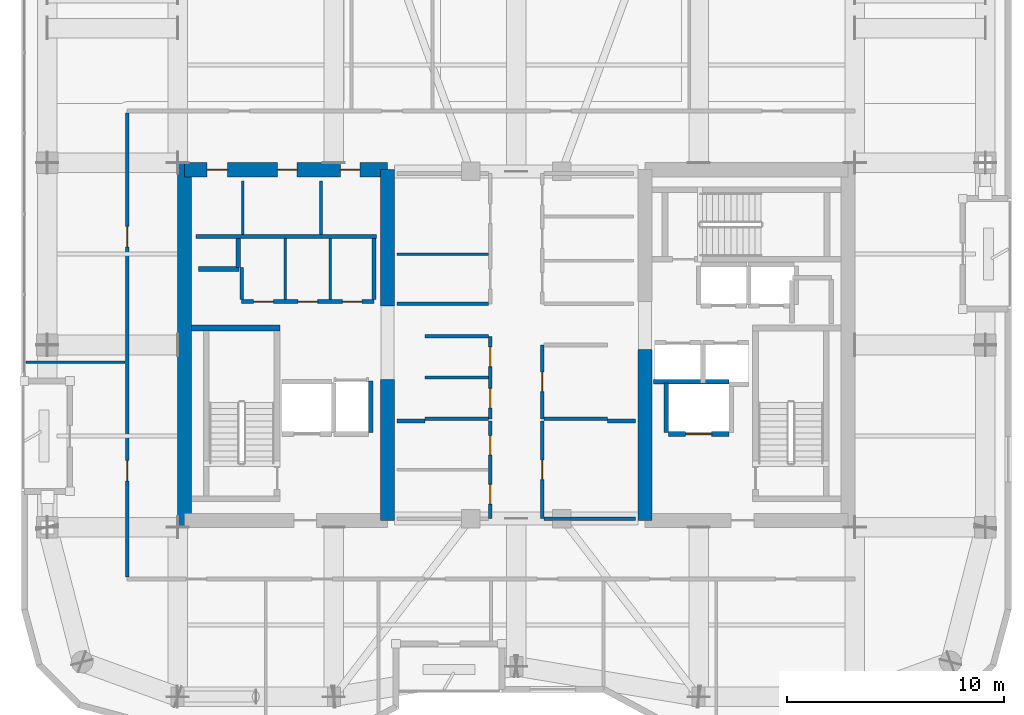
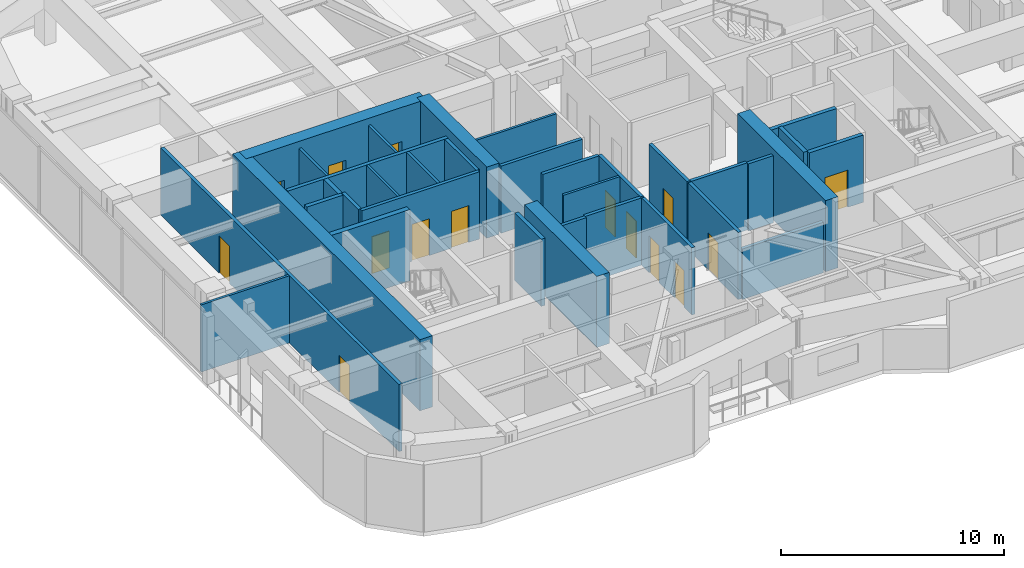
# One storey, part 16 of 21: 35 walls, 15 doors, 15 openings.
"""IFC4 building model written with IfcOpenShell, lengths in metres."""

from ifc_helpers import new_model, si_unit, direction, frame, frame_2d, origin, place, context, subcontext, project, spatial, rectangle, extrude, material, layer, layer_set, type_object, element, fill, save


model = new_model("IFC4")

# Units and contexts
model_context = context("Model", 3, precision=1e-05, world=origin(), true_north=direction((0.0, 1.0)))
body_context = subcontext(model_context, "Body", "Model", "MODEL_VIEW")
ifc_project = project(units=[si_unit("LENGTHUNIT", "METRE"), si_unit("AREAUNIT", "SQUARE_METRE"), si_unit("VOLUMEUNIT", "CUBIC_METRE"), si_unit("PLANEANGLEUNIT", "RADIAN"), si_unit("MASSUNIT", "GRAM", prefix="KILO")], contexts=[model_context])

# Site, building, storey
site_placement = place(None, origin())
site = spatial("IfcSite", under=ifc_project, at=site_placement, CompositionType="ELEMENT")
building_placement = place(site_placement, origin())
building = spatial("IfcBuilding", under=site, at=building_placement, Name="Kiyonajd Concourse Tower", CompositionType="ELEMENT")
storey_placement = place(building_placement, frame((0.0, 0.0, 251.10009765625)))
storey = spatial("IfcBuildingStorey", under=building, at=storey_placement, Name="L63", CompositionType="ELEMENT", Elevation=251.10009765625)

# Walls
ifc_material_1 = material(Name="Concrete C60/75", Category="concrete")
ifc_layer_1 = layer(ifc_material_1, 0.64990234375)
ifc_layer_set_1 = layer_set([ifc_layer_1], Name="Concrete C60/75")
wall_type_1 = type_object("IfcWallType", Name="WL-CORE-650", PredefinedType="SHEAR", material=ifc_layer_set_1)
wall_1_placement = place(storey_placement, frame((32.72509765625, 27.60009765625, 0.0), z_axis=(0.0, 0.0, 1.0), x_axis=(0.0, 1.0, 0.0)))
element("IfcWall", 1, at=wall_1_placement, inside=storey, type_object=wall_type_1, Name="L63 West Core Outer Shear Wall", PredefinedType="SHEAR", context=body_context, shape_type="SweptSolid", body=[
    extrude(rectangle(XDim=16.7998046875, YDim=0.64990234375, at=frame_2d((8.39990234375, 0.0))), origin(), (0.0, 0.0, 1.0), 3.89990234375),
])
wall_2_placement = place(storey_placement, frame((42.074951171875, 27.925048828125, 0.0), z_axis=(0.0, 0.0, 1.0), x_axis=(0.0, 1.0, 0.0)))
element("IfcWall", 2, at=wall_2_placement, inside=storey, type_object=wall_type_1, Name="L63 West Core Inner South Shear Wall", PredefinedType="SHEAR", context=body_context, shape_type="SweptSolid", body=[
    extrude(rectangle(XDim=6.474853515625, YDim=0.64990234375, at=frame_2d((3.2373046875, 0.0))), origin(), (0.0, 0.0, 1.0), 3.89990234375),
])
wall_3_placement = place(storey_placement, frame((42.074951171875, 37.800048828125, 0.0), z_axis=(0.0, 0.0, 1.0), x_axis=(0.0, 1.0, 0.0)))
element("IfcWall", 3, at=wall_3_placement, inside=storey, type_object=wall_type_1, Name="L63 West Core Inner North Shear Wall", PredefinedType="SHEAR", context=body_context, shape_type="SweptSolid", body=[
    extrude(rectangle(XDim=6.27490234375, YDim=0.64990234375, at=frame_2d((3.137451171875, 0.0))), origin(), (0.0, 0.0, 1.0), 3.89990234375),
])

# Wall, openings, doors
wall_4_placement = place(storey_placement, frame((32.72509765625, 44.074951171875, 0.0), z_axis=(0.0, 0.0, 1.0), x_axis=(1.0, 0.0, 0.0)))
wall_4 = element("IfcWall", 4, at=wall_4_placement, inside=storey, type_object=wall_type_1, Name="L63 West Core North Shear Wall", PredefinedType="SHEAR", context=body_context, shape_type="SweptSolid", body=[
    extrude(rectangle(XDim=9.349853515625, YDim=0.64990234375, at=frame_2d((4.6748046875, 0.0))), origin(), (0.0, 0.0, 1.0), 3.89990234375),
])
opening_1_placement = place(wall_4_placement, frame((1.02490234375, 0.0, 0.0)))
opening_1 = element("IfcOpeningElement", 5, at=opening_1_placement, cuts=wall_4, Name="Opening DI1", PredefinedType="OPENING", context=body_context, shape_type="SweptSolid", body=[
    extrude(rectangle(XDim=0.949951171875, YDim=2.0400390625, at=frame_2d((0.47509765625, 1.02001953125))), frame((0.0, 0.3349609375, 0.0), z_axis=(0.0, -1.0, 0.0), x_axis=(1.0, 0.0, 0.0)), (0.0, 0.0, 1.0), 0.669921875),
])
opening_2_placement = place(wall_4_placement, frame((4.27490234375, 0.0, 0.0)))
opening_2 = element("IfcOpeningElement", 6, at=opening_2_placement, cuts=wall_4, Name="Opening DI2", PredefinedType="OPENING", context=body_context, shape_type="SweptSolid", body=[
    extrude(rectangle(XDim=0.89990234375, YDim=2.02001953125, at=frame_2d((0.449951171875, 1.010009765625))), frame((0.0, 0.3349609375, 0.0), z_axis=(0.0, -1.0, 0.0), x_axis=(1.0, 0.0, 0.0)), (0.0, 0.0, 1.0), 0.669921875),
])
opening_3_placement = place(wall_4_placement, frame((7.175048828125, 0.0, 0.0)))
opening_3 = element("IfcOpeningElement", 7, at=opening_3_placement, cuts=wall_4, Name="Opening DI2", PredefinedType="OPENING", context=body_context, shape_type="SweptSolid", body=[
    extrude(rectangle(XDim=0.89990234375, YDim=2.02001953125, at=frame_2d((0.449951171875, 1.010009765625))), frame((0.0, 0.3349609375, 0.0), z_axis=(0.0, -1.0, 0.0), x_axis=(1.0, 0.0, 0.0)), (0.0, 0.0, 1.0), 0.669921875),
])
ifc_material_2 = material(Name="Natural Oak Acoustic Timber Veneer", Category="wood")
door_type_1 = type_object("IfcDoorType", Name="DR-INT-900", OperationType="NOTDEFINED", PredefinedType="DOOR", material=ifc_material_2)
door_1_placement = place(opening_2_placement, origin())
door_1 = element("IfcDoor", 8, at=door_1_placement, inside=storey, type_object=door_type_1, Name="L63 Male Restroom Door", OperationType="SINGLE_SWING_RIGHT", OverallHeight=2.02001953125, OverallWidth=0.89990234375, PredefinedType="DOOR", context=body_context, shape_type="SweptSolid", body=[
    extrude(rectangle(XDim=0.89990234375, YDim=2.02001953125, at=frame_2d((0.449951171875, 1.010009765625))), frame((0.0, 0.02490234375, 0.0), z_axis=(0.0, -1.0, 0.0), x_axis=(1.0, 0.0, 0.0)), (0.0, 0.0, 1.0), 0.050048828125),
])
fill(opening_2, door_1)
door_2_placement = place(opening_3_placement, origin())
door_2 = element("IfcDoor", 9, at=door_2_placement, inside=storey, type_object=door_type_1, Name="L63 Female Restroom Door", OperationType="SINGLE_SWING_LEFT", OverallHeight=2.02001953125, OverallWidth=0.89990234375, PredefinedType="DOOR", context=body_context, shape_type="SweptSolid", body=[
    extrude(rectangle(XDim=0.89990234375, YDim=2.02001953125, at=frame_2d((0.449951171875, 1.010009765625))), frame((0.0, 0.02490234375, 0.0), z_axis=(0.0, -1.0, 0.0), x_axis=(1.0, 0.0, 0.0)), (0.0, 0.0, 1.0), 0.050048828125),
])
fill(opening_3, door_2)
door_type_2 = type_object("IfcDoorType", Name="DR-INT-950", OperationType="NOTDEFINED", PredefinedType="DOOR", material=ifc_material_2)
door_3_placement = place(opening_1_placement, origin())
door_3 = element("IfcDoor", 10, at=door_3_placement, inside=storey, type_object=door_type_2, Name="L63 Single User Accessible WC Door", OperationType="SINGLE_SWING_LEFT", OverallHeight=2.0400390625, OverallWidth=0.949951171875, PredefinedType="DOOR", context=body_context, shape_type="SweptSolid", body=[
    extrude(rectangle(XDim=0.949951171875, YDim=2.0400390625, at=frame_2d((0.47509765625, 1.02001953125))), frame((0.0, 0.02490234375, 0.0), z_axis=(0.0, -1.0, 0.0), x_axis=(1.0, 0.0, 0.0)), (0.0, 0.0, 1.0), 0.050048828125),
])
fill(opening_1, door_3)

# Walls
wall_5_placement = place(storey_placement, frame((53.925048828125, 27.925048828125, 0.0), z_axis=(0.0, 0.0, 1.0), x_axis=(0.0, 1.0, 0.0)))
element("IfcWall", 11, at=wall_5_placement, inside=storey, type_object=wall_type_1, Name="L63 East Core Inner South Shear Wall", PredefinedType="SHEAR", context=body_context, shape_type="SweptSolid", body=[
    extrude(rectangle(XDim=7.875, YDim=0.64990234375, at=frame_2d((3.9375, 0.0))), origin(), (0.0, 0.0, 1.0), 3.89990234375),
])
ifc_material_3 = material(Name="Gypsum Board on Cold-Formed Steel Stud", Category="steel")
ifc_layer_2 = layer(ifc_material_3, 0.125)
ifc_layer_set_2 = layer_set([ifc_layer_2], Name="Gypsum Board on Cold-Formed Steel Stud")
wall_type_2 = type_object("IfcWallType", Name="WL-PART-125", PredefinedType="PARTITIONING", material=ifc_layer_set_2)
for number, where, z_axis, x_axis, name in (
    (12, (35.39990234375, 41.094970703125, 0.0), (0.0, 0.0, 1.0), (0.0, 1.0, 0.0), "L63 Interior Partition Wall"),
    (13, (39.0, 41.094970703125, 0.0), (0.0, 0.0, 1.0), (0.0, 1.0, 0.0), "L63 Interior Partition Wall"),
):
    element("IfcWall", number, at=place(storey_placement, frame(where, z_axis=z_axis, x_axis=x_axis)), inside=storey, type_object=wall_type_2, Name=name, PredefinedType="PARTITIONING", context=body_context, shape_type="SweptSolid", body=[
        extrude(rectangle(XDim=2.455078125, YDim=0.125, at=frame_2d((1.2275390625, 0.0))), origin(), (0.0, 0.0, 1.0), 3.679931640625),
    ])
for number, where, z_axis, x_axis, name in (
    (14, (37.363037109375, 38.0869140625, 0.0), (0.0, 0.0, 1.0), (0.0, 1.0, 0.0), "L63 Interior Partition Wall"),
    (15, (39.43701171875, 38.0869140625, 0.0), (0.0, 0.0, 1.0), (0.0, 1.0, 0.0), "L63 Interior Partition Wall"),
):
    element("IfcWall", number, at=place(storey_placement, frame(where, z_axis=z_axis, x_axis=x_axis)), inside=storey, type_object=wall_type_2, Name=name, PredefinedType="PARTITIONING", context=body_context, shape_type="SweptSolid", body=[
        extrude(rectangle(XDim=2.81298828125, YDim=0.125, at=frame_2d((1.406494140625, 0.0))), origin(), (0.0, 0.0, 1.0), 3.679931640625),
    ])
wall_6_placement = place(storey_placement, frame((43.800048828125, 34.5, 0.0), z_axis=(0.0, 0.0, 1.0), x_axis=(1.0, 0.0, 0.0)))
element("IfcWall", 16, at=wall_6_placement, inside=storey, type_object=wall_type_2, Name="L63 Interior Partition Wall", PredefinedType="PARTITIONING", context=body_context, shape_type="SweptSolid", body=[
    extrude(rectangle(XDim=2.912841796875, YDim=0.125, at=frame_2d((1.45654296875, 0.0))), origin(), (0.0, 0.0, 1.0), 3.679931640625),
])
wall_7_placement = place(storey_placement, frame((42.5, 40.179931640625, 0.0), z_axis=(0.0, 0.0, 1.0), x_axis=(1.0, 0.0, 0.0)))
element("IfcWall", 17, at=wall_7_placement, inside=storey, type_object=wall_type_2, Name="L63 Interior Partition Wall", PredefinedType="PARTITIONING", context=body_context, shape_type="SweptSolid", body=[
    extrude(rectangle(XDim=4.212890625, YDim=0.125, at=frame_2d((2.1064453125, 0.0))), origin(), (0.0, 0.0, 1.0), 3.679931640625),
])
wall_8_placement = place(storey_placement, frame((25.425048828125, 35.199951171875, 0.0), z_axis=(0.0, 0.0, 1.0), x_axis=(1.0, 0.0, 0.0)))
element("IfcWall", 18, at=wall_8_placement, inside=storey, type_object=wall_type_2, Name="L63 Interior Partition Wall", PredefinedType="PARTITIONING", context=body_context, shape_type="SweptSolid", body=[
    extrude(rectangle(XDim=4.56298828125, YDim=0.125, at=frame_2d((2.281494140625, 0.0))), origin(), (0.0, 0.0, 1.0), 3.679931640625),
])
ifc_layer_3 = layer(ifc_material_3, 0.18994140625)
ifc_layer_set_3 = layer_set([ifc_layer_3], Name="Gypsum Board on Cold-Formed Steel Stud")
wall_type_3 = type_object("IfcWallType", Name="WL-PLMB-190", PredefinedType="PLUMBINGWALL", material=ifc_layer_set_3)
wall_9_placement = place(storey_placement, frame((33.25, 41.0, 0.0), z_axis=(0.0, 0.0, 1.0), x_axis=(1.0, 0.0, 0.0)))
element("IfcWall", 19, at=wall_9_placement, inside=storey, type_object=wall_type_3, Name="L63 Interior Partition Wall", PredefinedType="PLUMBINGWALL", context=body_context, shape_type="SweptSolid", body=[
    extrude(rectangle(XDim=8.300048828125, YDim=0.18994140625, at=frame_2d((4.14990234375, 0.0))), origin(), (0.0, 0.0, 1.0), 3.679931640625),
])
ifc_layer_4 = layer(ifc_material_3, 0.2099609375)
ifc_layer_set_4 = layer_set([ifc_layer_4], Name="Gypsum Board on Cold-Formed Steel Stud")
wall_type_4 = type_object("IfcWallType", Name="WL-SHAFT-210", PredefinedType="PARTITIONING", material=ifc_layer_set_4)
wall_10_placement = place(storey_placement, frame((33.360107421875, 39.5, 0.0), z_axis=(0.0, 0.0, 1.0), x_axis=(1.0, 0.0, 0.0)))
element("IfcWall", 20, at=wall_10_placement, inside=storey, type_object=wall_type_4, Name="L63 Shaft Enclosure Wall", PredefinedType="PARTITIONING", context=body_context, shape_type="SweptSolid", body=[
    extrude(rectangle(XDim=1.85986328125, YDim=0.2099609375, at=frame_2d((0.929931640625, 0.0))), origin(), (0.0, 0.0, 1.0), 3.679931640625),
])
wall_11_placement = place(storey_placement, frame((35.199951171875, 39.580078125, 0.0), z_axis=(0.0, 0.0, 1.0), x_axis=(0.0, 1.0, 0.0)))
element("IfcWall", 21, at=wall_11_placement, inside=storey, type_object=wall_type_4, Name="L63 Shaft Enclosure Wall", PredefinedType="PARTITIONING", context=body_context, shape_type="SweptSolid", body=[
    extrude(rectangle(XDim=1.31982421875, YDim=0.2099609375, at=frame_2d((0.659912109375, 0.0))), origin(), (0.0, 0.0, 1.0), 3.679931640625),
])

# Wall, opening, door
wall_12_placement = place(storey_placement, frame((55.0, 31.89990234375, 0.0), z_axis=(0.0, 0.0, 1.0), x_axis=(1.0, 0.0, 0.0)))
wall_12 = element("IfcWall", 22, at=wall_12_placement, inside=storey, type_object=wall_type_4, Name="L63 Shaft Enclosure Wall", PredefinedType="PARTITIONING", context=body_context, shape_type="SweptSolid", body=[
    extrude(rectangle(XDim=2.800048828125, YDim=0.2099609375, at=frame_2d((1.39990234375, 0.0))), origin(), (0.0, 0.0, 1.0), 3.679931640625),
])
opening_4_placement = place(wall_12_placement, frame((0.800048828125, 0.0, 0.0)))
opening_4 = element("IfcOpeningElement", 23, at=opening_4_placement, cuts=wall_12, Name="Opening LD2", PredefinedType="OPENING", context=body_context, shape_type="SweptSolid", body=[
    extrude(rectangle(XDim=1.199951171875, YDim=2.0400390625, at=frame_2d((0.60009765625, 1.02001953125))), frame((0.0, 0.114990234375, 0.0), z_axis=(0.0, -1.0, 0.0), x_axis=(1.0, 0.0, 0.0)), (0.0, 0.0, 1.0), 0.22998046875),
])
ifc_material_4 = material(Name="Brushed Stainless Steel Cab Assembly", Category="steel")
door_type_3 = type_object("IfcDoorType", Name="DR-LD-1200", OperationType="DOUBLE_DOOR_SLIDING", PredefinedType="DOOR", material=ifc_material_4)
door_4_placement = place(opening_4_placement, origin())
door_4 = element("IfcDoor", 24, at=door_4_placement, inside=storey, type_object=door_type_3, Name="L63 Lift FFL2 Sliding Landing Door", OperationType="DOUBLE_DOOR_SLIDING", OverallHeight=2.0400390625, OverallWidth=1.199951171875, PredefinedType="DOOR", context=body_context, shape_type="SweptSolid", body=[
    extrude(rectangle(XDim=1.199951171875, YDim=2.0400390625, at=frame_2d((0.60009765625, 1.02001953125))), frame((0.0, 0.02490234375, 0.0), z_axis=(0.0, -1.0, 0.0), x_axis=(1.0, 0.0, 0.0)), (0.0, 0.0, 1.0), 0.050048828125),
])
fill(opening_4, door_4)

# Walls
wall_13_placement = place(storey_placement, frame((54.320068359375, 34.300048828125, 0.0), z_axis=(0.0, 0.0, 1.0), x_axis=(1.0, 0.0, 0.0)))
element("IfcWall", 25, at=wall_13_placement, inside=storey, type_object=wall_type_4, Name="L63 Shaft Enclosure Wall", PredefinedType="PARTITIONING", context=body_context, shape_type="SweptSolid", body=[
    extrude(rectangle(XDim=3.47998046875, YDim=0.2099609375, at=frame_2d((1.739990234375, 0.0))), origin(), (0.0, 0.0, 1.0), 3.679931640625),
])
wall_14_placement = place(storey_placement, frame((54.89990234375, 31.9599609375, 0.0), z_axis=(0.0, 0.0, 1.0), x_axis=(0.0, 1.0, 0.0)))
element("IfcWall", 26, at=wall_14_placement, inside=storey, type_object=wall_type_4, Name="L63 Shaft Enclosure Wall", PredefinedType="PARTITIONING", context=body_context, shape_type="SweptSolid", body=[
    extrude(rectangle(XDim=2.280029296875, YDim=0.2099609375, at=frame_2d((1.14013671875, 0.0))), origin(), (0.0, 0.0, 1.0), 3.679931640625),
])
wall_15_placement = place(storey_placement, frame((41.300048828125, 31.9599609375, 0.0), z_axis=(0.0, 0.0, 1.0), x_axis=(0.0, 1.0, 0.0)))
element("IfcWall", 27, at=wall_15_placement, inside=storey, type_object=wall_type_4, Name="L63 Shaft Enclosure Wall", PredefinedType="PARTITIONING", context=body_context, shape_type="SweptSolid", body=[
    extrude(rectangle(XDim=2.380126953125, YDim=0.2099609375, at=frame_2d((1.18994140625, 0.0))), origin(), (0.0, 0.0, 1.0), 3.679931640625),
])

# Wall, openings, doors
ifc_layer_5 = layer(ifc_material_3, 0.169921875)
ifc_layer_set_5 = layer_set([ifc_layer_5], Name="Gypsum Board on Cold-Formed Steel Stud")
wall_type_5 = type_object("IfcWallType", Name="WL-SMK-170", PredefinedType="PARTITIONING", material=ifc_layer_set_5)
wall_16_placement = place(storey_placement, frame((35.35009765625, 38.0, 0.0), z_axis=(0.0, 0.0, 1.0), x_axis=(1.0, 0.0, 0.0)))
wall_16 = element("IfcWall", 28, at=wall_16_placement, inside=storey, type_object=wall_type_5, Name="L63 Interior Partition Wall", PredefinedType="PARTITIONING", context=body_context, shape_type="SweptSolid", body=[
    extrude(rectangle(XDim=6.099853515625, YDim=0.169921875, at=frame_2d((3.0498046875, 0.0))), origin(), (0.0, 0.0, 1.0), 3.679931640625),
])
opening_5_placement = place(wall_16_placement, frame((0.555908203125, 0.0, 0.0)))
opening_5 = element("IfcOpeningElement", 29, at=opening_5_placement, cuts=wall_16, Name="Opening DI2", PredefinedType="OPENING", context=body_context, shape_type="SweptSolid", body=[
    extrude(rectangle(XDim=0.89990234375, YDim=2.02001953125, at=frame_2d((0.449951171875, 1.010009765625))), frame((0.0, 0.094970703125, 0.0), z_axis=(0.0, -1.0, 0.0), x_axis=(1.0, 0.0, 0.0)), (0.0, 0.0, 1.0), 0.18994140625),
])
opening_6_placement = place(wall_16_placement, frame((2.60009765625, 0.0, 0.0)))
opening_6 = element("IfcOpeningElement", 30, at=opening_6_placement, cuts=wall_16, Name="Opening DI2", PredefinedType="OPENING", context=body_context, shape_type="SweptSolid", body=[
    extrude(rectangle(XDim=0.89990234375, YDim=2.02001953125, at=frame_2d((0.449951171875, 1.010009765625))), frame((0.0, 0.094970703125, 0.0), z_axis=(0.0, -1.0, 0.0), x_axis=(1.0, 0.0, 0.0)), (0.0, 0.0, 1.0), 0.18994140625),
])
opening_7_placement = place(wall_16_placement, frame((4.64306640625, 0.0, 0.0)))
opening_7 = element("IfcOpeningElement", 31, at=opening_7_placement, cuts=wall_16, Name="Opening DI2", PredefinedType="OPENING", context=body_context, shape_type="SweptSolid", body=[
    extrude(rectangle(XDim=0.89990234375, YDim=2.02001953125, at=frame_2d((0.449951171875, 1.010009765625))), frame((0.0, 0.094970703125, 0.0), z_axis=(0.0, -1.0, 0.0), x_axis=(1.0, 0.0, 0.0)), (0.0, 0.0, 1.0), 0.18994140625),
])
door_5_placement = place(opening_5_placement, origin())
door_5 = element("IfcDoor", 32, at=door_5_placement, inside=storey, type_object=door_type_1, Name="L63 Interior Door", OperationType="SINGLE_SWING_RIGHT", OverallHeight=2.02001953125, OverallWidth=0.89990234375, PredefinedType="DOOR", context=body_context, shape_type="SweptSolid", body=[
    extrude(rectangle(XDim=0.89990234375, YDim=2.02001953125, at=frame_2d((0.449951171875, 1.010009765625))), frame((0.0, 0.02490234375, 0.0), z_axis=(0.0, -1.0, 0.0), x_axis=(1.0, 0.0, 0.0)), (0.0, 0.0, 1.0), 0.050048828125),
])
fill(opening_5, door_5)
door_6_placement = place(opening_6_placement, origin())
door_6 = element("IfcDoor", 33, at=door_6_placement, inside=storey, type_object=door_type_1, Name="L63 Interior Door", OperationType="SINGLE_SWING_LEFT", OverallHeight=2.02001953125, OverallWidth=0.89990234375, PredefinedType="DOOR", context=body_context, shape_type="SweptSolid", body=[
    extrude(rectangle(XDim=0.89990234375, YDim=2.02001953125, at=frame_2d((0.449951171875, 1.010009765625))), frame((0.0, 0.02490234375, 0.0), z_axis=(0.0, -1.0, 0.0), x_axis=(1.0, 0.0, 0.0)), (0.0, 0.0, 1.0), 0.050048828125),
])
fill(opening_6, door_6)
door_7_placement = place(opening_7_placement, origin())
door_7 = element("IfcDoor", 34, at=door_7_placement, inside=storey, type_object=door_type_1, Name="L63 Interior Door", OperationType="SINGLE_SWING_RIGHT", OverallHeight=2.02001953125, OverallWidth=0.89990234375, PredefinedType="DOOR", context=body_context, shape_type="SweptSolid", body=[
    extrude(rectangle(XDim=0.89990234375, YDim=2.02001953125, at=frame_2d((0.449951171875, 1.010009765625))), frame((0.0, 0.02490234375, 0.0), z_axis=(0.0, -1.0, 0.0), x_axis=(1.0, 0.0, 0.0)), (0.0, 0.0, 1.0), 0.050048828125),
])
fill(opening_7, door_7)

# Walls
wall_17_placement = place(storey_placement, frame((35.35009765625, 38.0869140625, 0.0), z_axis=(0.0, 0.0, 1.0), x_axis=(0.0, 1.0, 0.0)))
element("IfcWall", 35, at=wall_17_placement, inside=storey, type_object=wall_type_5, Name="L63 Interior Partition Wall", PredefinedType="PARTITIONING", context=body_context, shape_type="SweptSolid", body=[
    extrude(rectangle(XDim=1.4931640625, YDim=0.169921875, at=frame_2d((0.74658203125, 0.0))), origin(), (0.0, 0.0, 1.0), 3.679931640625),
])
wall_18_placement = place(storey_placement, frame((41.449951171875, 38.0869140625, 0.0), z_axis=(0.0, 0.0, 1.0), x_axis=(0.0, 1.0, 0.0)))
element("IfcWall", 36, at=wall_18_placement, inside=storey, type_object=wall_type_5, Name="L63 Interior Partition Wall", PredefinedType="PARTITIONING", context=body_context, shape_type="SweptSolid", body=[
    extrude(rectangle(XDim=2.81298828125, YDim=0.169921875, at=frame_2d((1.406494140625, 0.0))), origin(), (0.0, 0.0, 1.0), 3.679931640625),
])

# Wall, openings, doors
wall_19_placement = place(storey_placement, frame((46.800048828125, 32.60009765625, 0.0), z_axis=(0.0, 0.0, 1.0), x_axis=(0.0, 1.0, 0.0)))
wall_19 = element("IfcWall", 37, at=wall_19_placement, inside=storey, type_object=wall_type_5, Name="L63 Interior Partition Wall", PredefinedType="PARTITIONING", context=body_context, shape_type="SweptSolid", body=[
    extrude(rectangle(XDim=3.7998046875, YDim=0.169921875, at=frame_2d((1.89990234375, 0.0))), origin(), (0.0, 0.0, 1.0), 3.679931640625),
])
opening_8_placement = place(wall_19_placement, frame((0.5, 0.0, 0.0)))
opening_8 = element("IfcOpeningElement", 38, at=opening_8_placement, cuts=wall_19, Name="Opening DI2", PredefinedType="OPENING", context=body_context, shape_type="SweptSolid", body=[
    extrude(rectangle(XDim=0.89990234375, YDim=2.02001953125, at=frame_2d((0.449951171875, 1.010009765625))), frame((0.0, 0.094970703125, 0.0), z_axis=(0.0, -1.0, 0.0), x_axis=(1.0, 0.0, 0.0)), (0.0, 0.0, 1.0), 0.18994140625),
])
opening_9_placement = place(wall_19_placement, frame((2.39990234375, 0.0, 0.0)))
opening_9 = element("IfcOpeningElement", 39, at=opening_9_placement, cuts=wall_19, Name="Opening DI2", PredefinedType="OPENING", context=body_context, shape_type="SweptSolid", body=[
    extrude(rectangle(XDim=0.89990234375, YDim=2.02001953125, at=frame_2d((0.449951171875, 1.010009765625))), frame((0.0, 0.094970703125, 0.0), z_axis=(0.0, -1.0, 0.0), x_axis=(1.0, 0.0, 0.0)), (0.0, 0.0, 1.0), 0.18994140625),
])
door_8_placement = place(opening_8_placement, origin())
door_8 = element("IfcDoor", 40, at=door_8_placement, inside=storey, type_object=door_type_1, Name="L63 Interior Door", OperationType="SINGLE_SWING_LEFT", OverallHeight=2.02001953125, OverallWidth=0.89990234375, PredefinedType="DOOR", context=body_context, shape_type="SweptSolid", body=[
    extrude(rectangle(XDim=0.89990234375, YDim=2.02001953125, at=frame_2d((0.449951171875, 1.010009765625))), frame((0.0, 0.02490234375, 0.0), z_axis=(0.0, -1.0, 0.0), x_axis=(1.0, 0.0, 0.0)), (0.0, 0.0, 1.0), 0.050048828125),
])
fill(opening_8, door_8)
door_9_placement = place(opening_9_placement, origin())
door_9 = element("IfcDoor", 41, at=door_9_placement, inside=storey, type_object=door_type_1, Name="L63 Interior Door", OperationType="SINGLE_SWING_RIGHT", OverallHeight=2.02001953125, OverallWidth=0.89990234375, PredefinedType="DOOR", context=body_context, shape_type="SweptSolid", body=[
    extrude(rectangle(XDim=0.89990234375, YDim=2.02001953125, at=frame_2d((0.449951171875, 1.010009765625))), frame((0.0, 0.02490234375, 0.0), z_axis=(0.0, -1.0, 0.0), x_axis=(1.0, 0.0, 0.0)), (0.0, 0.0, 1.0), 0.050048828125),
])
fill(opening_9, door_9)

# Walls
for number, where, z_axis, x_axis, name in (
    (42, (43.800048828125, 32.60009765625, 0.0), (0.0, 0.0, 1.0), (1.0, 0.0, 0.0), "L63 Interior Partition Wall"),
    (43, (43.800048828125, 36.39990234375, 0.0), (0.0, 0.0, 1.0), (1.0, 0.0, 0.0), "L63 Interior Partition Wall"),
):
    element("IfcWall", number, at=place(storey_placement, frame(where, z_axis=z_axis, x_axis=x_axis)), inside=storey, type_object=wall_type_5, Name=name, PredefinedType="PARTITIONING", context=body_context, shape_type="SweptSolid", body=[
        extrude(rectangle(XDim=2.912841796875, YDim=0.169921875, at=frame_2d((1.45654296875, 0.0))), origin(), (0.0, 0.0, 1.0), 3.679931640625),
    ])

# Wall, opening, door
wall_20_placement = place(storey_placement, frame((49.199951171875, 32.60009765625, 0.0), z_axis=(0.0, 0.0, 1.0), x_axis=(0.0, 1.0, 0.0)))
wall_20 = element("IfcWall", 44, at=wall_20_placement, inside=storey, type_object=wall_type_5, Name="L63 Interior Partition Wall", PredefinedType="PARTITIONING", context=body_context, shape_type="SweptSolid", body=[
    extrude(rectangle(XDim=3.39990234375, YDim=0.169921875, at=frame_2d((1.699951171875, 0.0))), origin(), (0.0, 0.0, 1.0), 3.679931640625),
])
opening_10_placement = place(wall_20_placement, frame((1.25, 0.0, 0.0)))
opening_10 = element("IfcOpeningElement", 45, at=opening_10_placement, cuts=wall_20, Name="Opening DI2", PredefinedType="OPENING", context=body_context, shape_type="SweptSolid", body=[
    extrude(rectangle(XDim=0.89990234375, YDim=2.02001953125, at=frame_2d((0.449951171875, 1.010009765625))), frame((0.0, 0.094970703125, 0.0), z_axis=(0.0, -1.0, 0.0), x_axis=(1.0, 0.0, 0.0)), (0.0, 0.0, 1.0), 0.18994140625),
])
door_10_placement = place(opening_10_placement, origin())
door_10 = element("IfcDoor", 46, at=door_10_placement, inside=storey, type_object=door_type_1, Name="L63 Interior Door", OperationType="SINGLE_SWING_LEFT", OverallHeight=2.02001953125, OverallWidth=0.89990234375, PredefinedType="DOOR", context=body_context, shape_type="SweptSolid", body=[
    extrude(rectangle(XDim=0.89990234375, YDim=2.02001953125, at=frame_2d((0.449951171875, 1.010009765625))), frame((0.0, 0.02490234375, 0.0), z_axis=(0.0, -1.0, 0.0), x_axis=(1.0, 0.0, 0.0)), (0.0, 0.0, 1.0), 0.050048828125),
])
fill(opening_10, door_10)

# Wall
wall_21_placement = place(storey_placement, frame((49.287109375, 32.60009765625, 0.0), z_axis=(0.0, 0.0, 1.0), x_axis=(1.0, 0.0, 0.0)))
element("IfcWall", 47, at=wall_21_placement, inside=storey, type_object=wall_type_5, Name="L63 Interior Partition Wall", PredefinedType="PARTITIONING", context=body_context, shape_type="SweptSolid", body=[
    extrude(rectangle(XDim=2.912841796875, YDim=0.169921875, at=frame_2d((1.45654296875, 0.0))), origin(), (0.0, 0.0, 1.0), 3.679931640625),
])

# Wall, openings, doors
wall_22_placement = place(storey_placement, frame((46.800048828125, 28.0, 0.0), z_axis=(0.0, 0.0, 1.0), x_axis=(0.0, 1.0, 0.0)))
wall_22 = element("IfcWall", 48, at=wall_22_placement, inside=storey, type_object=wall_type_5, Name="L63 Interior Partition Wall", PredefinedType="PARTITIONING", context=body_context, shape_type="SweptSolid", body=[
    extrude(rectangle(XDim=4.5, YDim=0.169921875, at=frame_2d((2.25, 0.0))), origin(), (0.0, 0.0, 1.0), 3.679931640625),
])
opening_11_placement = place(wall_22_placement, frame((0.675048828125, 0.0, 0.0)))
opening_11 = element("IfcOpeningElement", 49, at=opening_11_placement, cuts=wall_22, Name="Opening DI2", PredefinedType="OPENING", context=body_context, shape_type="SweptSolid", body=[
    extrude(rectangle(XDim=0.89990234375, YDim=2.02001953125, at=frame_2d((0.449951171875, 1.010009765625))), frame((0.0, 0.094970703125, 0.0), z_axis=(0.0, -1.0, 0.0), x_axis=(1.0, 0.0, 0.0)), (0.0, 0.0, 1.0), 0.18994140625),
])
opening_12_placement = place(wall_22_placement, frame((2.925048828125, 0.0, 0.0)))
opening_12 = element("IfcOpeningElement", 50, at=opening_12_placement, cuts=wall_22, Name="Opening DI2", PredefinedType="OPENING", context=body_context, shape_type="SweptSolid", body=[
    extrude(rectangle(XDim=0.89990234375, YDim=2.02001953125, at=frame_2d((0.449951171875, 1.010009765625))), frame((0.0, 0.094970703125, 0.0), z_axis=(0.0, -1.0, 0.0), x_axis=(1.0, 0.0, 0.0)), (0.0, 0.0, 1.0), 0.18994140625),
])
door_11_placement = place(opening_11_placement, origin())
door_11 = element("IfcDoor", 51, at=door_11_placement, inside=storey, type_object=door_type_1, Name="L63 Interior Door", OperationType="SINGLE_SWING_RIGHT", OverallHeight=2.02001953125, OverallWidth=0.89990234375, PredefinedType="DOOR", context=body_context, shape_type="SweptSolid", body=[
    extrude(rectangle(XDim=0.89990234375, YDim=2.02001953125, at=frame_2d((0.449951171875, 1.010009765625))), frame((0.0, 0.02490234375, 0.0), z_axis=(0.0, -1.0, 0.0), x_axis=(1.0, 0.0, 0.0)), (0.0, 0.0, 1.0), 0.050048828125),
])
fill(opening_11, door_11)
door_12_placement = place(opening_12_placement, origin())
door_12 = element("IfcDoor", 52, at=door_12_placement, inside=storey, type_object=door_type_1, Name="L63 Interior Door", OperationType="SINGLE_SWING_LEFT", OverallHeight=2.02001953125, OverallWidth=0.89990234375, PredefinedType="DOOR", context=body_context, shape_type="SweptSolid", body=[
    extrude(rectangle(XDim=0.89990234375, YDim=2.02001953125, at=frame_2d((0.449951171875, 1.010009765625))), frame((0.0, 0.02490234375, 0.0), z_axis=(0.0, -1.0, 0.0), x_axis=(1.0, 0.0, 0.0)), (0.0, 0.0, 1.0), 0.050048828125),
])
fill(opening_12, door_12)

# Wall
wall_23_placement = place(storey_placement, frame((42.5, 32.5, 0.0), z_axis=(0.0, 0.0, 1.0), x_axis=(1.0, 0.0, 0.0)))
element("IfcWall", 53, at=wall_23_placement, inside=storey, type_object=wall_type_5, Name="L63 Interior Partition Wall", PredefinedType="PARTITIONING", context=body_context, shape_type="SweptSolid", body=[
    extrude(rectangle(XDim=1.300048828125, YDim=0.169921875, at=frame_2d((0.64990234375, 0.0))), origin(), (0.0, 0.0, 1.0), 3.679931640625),
])

# Wall, opening, door
wall_24_placement = place(storey_placement, frame((49.199951171875, 28.0, 0.0), z_axis=(0.0, 0.0, 1.0), x_axis=(0.0, 1.0, 0.0)))
wall_24 = element("IfcWall", 54, at=wall_24_placement, inside=storey, type_object=wall_type_5, Name="L63 Interior Partition Wall", PredefinedType="PARTITIONING", context=body_context, shape_type="SweptSolid", body=[
    extrude(rectangle(XDim=4.5, YDim=0.169921875, at=frame_2d((2.25, 0.0))), origin(), (0.0, 0.0, 1.0), 3.679931640625),
])
opening_13_placement = place(wall_24_placement, frame((1.800048828125, 0.0, 0.0)))
opening_13 = element("IfcOpeningElement", 55, at=opening_13_placement, cuts=wall_24, Name="Opening DI2", PredefinedType="OPENING", context=body_context, shape_type="SweptSolid", body=[
    extrude(rectangle(XDim=0.89990234375, YDim=2.02001953125, at=frame_2d((0.449951171875, 1.010009765625))), frame((0.0, 0.094970703125, 0.0), z_axis=(0.0, -1.0, 0.0), x_axis=(1.0, 0.0, 0.0)), (0.0, 0.0, 1.0), 0.18994140625),
])
door_13_placement = place(opening_13_placement, origin())
door_13 = element("IfcDoor", 56, at=door_13_placement, inside=storey, type_object=door_type_1, Name="L63 Interior Door", OperationType="SINGLE_SWING_RIGHT", OverallHeight=2.02001953125, OverallWidth=0.89990234375, PredefinedType="DOOR", context=body_context, shape_type="SweptSolid", body=[
    extrude(rectangle(XDim=0.89990234375, YDim=2.02001953125, at=frame_2d((0.449951171875, 1.010009765625))), frame((0.0, 0.02490234375, 0.0), z_axis=(0.0, -1.0, 0.0), x_axis=(1.0, 0.0, 0.0)), (0.0, 0.0, 1.0), 0.050048828125),
])
fill(opening_13, door_13)

# Walls
wall_25_placement = place(storey_placement, frame((49.287109375, 28.0, 0.0), z_axis=(0.0, 0.0, 1.0), x_axis=(1.0, 0.0, 0.0)))
element("IfcWall", 57, at=wall_25_placement, inside=storey, type_object=wall_type_5, Name="L63 Interior Partition Wall", PredefinedType="PARTITIONING", context=body_context, shape_type="SweptSolid", body=[
    extrude(rectangle(XDim=4.212890625, YDim=0.169921875, at=frame_2d((2.1064453125, 0.0))), origin(), (0.0, 0.0, 1.0), 2.764892578125),
])
wall_26_placement = place(storey_placement, frame((52.199951171875, 32.5, 0.0), z_axis=(0.0, 0.0, 1.0), x_axis=(1.0, 0.0, 0.0)))
element("IfcWall", 58, at=wall_26_placement, inside=storey, type_object=wall_type_5, Name="L63 Interior Partition Wall", PredefinedType="PARTITIONING", context=body_context, shape_type="SweptSolid", body=[
    extrude(rectangle(XDim=1.300048828125, YDim=0.169921875, at=frame_2d((0.64990234375, 0.0))), origin(), (0.0, 0.0, 1.0), 3.679931640625),
])
wall_27_placement = place(storey_placement, frame((42.5, 37.89990234375, 0.0), z_axis=(0.0, 0.0, 1.0), x_axis=(1.0, 0.0, 0.0)))
element("IfcWall", 59, at=wall_27_placement, inside=storey, type_object=wall_type_5, Name="L63 Interior Partition Wall", PredefinedType="PARTITIONING", context=body_context, shape_type="SweptSolid", body=[
    extrude(rectangle(XDim=4.212890625, YDim=0.169921875, at=frame_2d((2.1064453125, 0.0))), origin(), (0.0, 0.0, 1.0), 3.679931640625),
])

# Wall, openings, doors
wall_28_placement = place(storey_placement, frame((30.074951171875, 25.306884765625, 0.0), z_axis=(0.0, 0.0, 1.0), x_axis=(0.0, 1.0, 0.0)))
wall_28 = element("IfcWall", 60, at=wall_28_placement, inside=storey, type_object=wall_type_5, Name="L63 Interior Partition Wall", PredefinedType="PARTITIONING", context=body_context, shape_type="SweptSolid", body=[
    extrude(rectangle(XDim=21.38623046875, YDim=0.169921875, at=frame_2d((10.693115234375, 0.0))), origin(), (0.0, 0.0, 1.0), 3.679931640625),
])
opening_14_placement = place(wall_28_placement, frame((4.427978515625, 0.0, 0.0)))
opening_14 = element("IfcOpeningElement", 61, at=opening_14_placement, cuts=wall_28, Name="Opening DI1", PredefinedType="OPENING", context=body_context, shape_type="SweptSolid", body=[
    extrude(rectangle(XDim=0.949951171875, YDim=2.0400390625, at=frame_2d((0.47509765625, 1.02001953125))), frame((0.0, 0.094970703125, 0.0), z_axis=(0.0, -1.0, 0.0), x_axis=(1.0, 0.0, 0.0)), (0.0, 0.0, 1.0), 0.18994140625),
])
opening_15_placement = place(wall_28_placement, frame((15.2080078125, 0.0, 0.0)))
opening_15 = element("IfcOpeningElement", 62, at=opening_15_placement, cuts=wall_28, Name="Opening DI1", PredefinedType="OPENING", context=body_context, shape_type="SweptSolid", body=[
    extrude(rectangle(XDim=0.949951171875, YDim=2.0400390625, at=frame_2d((0.47509765625, 1.02001953125))), frame((0.0, 0.094970703125, 0.0), z_axis=(0.0, -1.0, 0.0), x_axis=(1.0, 0.0, 0.0)), (0.0, 0.0, 1.0), 0.18994140625),
])
door_14_placement = place(opening_14_placement, origin())
door_14 = element("IfcDoor", 63, at=door_14_placement, inside=storey, type_object=door_type_2, Name="L63 Interior Door", OperationType="SINGLE_SWING_RIGHT", OverallHeight=2.0400390625, OverallWidth=0.949951171875, PredefinedType="DOOR", context=body_context, shape_type="SweptSolid", body=[
    extrude(rectangle(XDim=0.949951171875, YDim=2.0400390625, at=frame_2d((0.47509765625, 1.02001953125))), frame((0.0, 0.02490234375, 0.0), z_axis=(0.0, -1.0, 0.0), x_axis=(1.0, 0.0, 0.0)), (0.0, 0.0, 1.0), 0.050048828125),
])
fill(opening_14, door_14)
door_15_placement = place(opening_15_placement, origin())
door_15 = element("IfcDoor", 64, at=door_15_placement, inside=storey, type_object=door_type_2, Name="L63 Interior Door", OperationType="SINGLE_SWING_LEFT", OverallHeight=2.0400390625, OverallWidth=0.949951171875, PredefinedType="DOOR", context=body_context, shape_type="SweptSolid", body=[
    extrude(rectangle(XDim=0.949951171875, YDim=2.0400390625, at=frame_2d((0.47509765625, 1.02001953125))), frame((0.0, 0.02490234375, 0.0), z_axis=(0.0, -1.0, 0.0), x_axis=(1.0, 0.0, 0.0)), (0.0, 0.0, 1.0), 0.050048828125),
])
fill(opening_15, door_15)

# Wall
ifc_material_5 = material(Name="Concrete C50/60", Category="concrete")
ifc_layer_6 = layer(ifc_material_5, 0.260009765625)
ifc_layer_set_6 = layer_set([ifc_layer_6], Name="Concrete C50/60")
wall_type_6 = type_object("IfcWallType", Name="WL-STAIR-260", PredefinedType="SHEAR", material=ifc_layer_set_6)
wall_29_placement = place(storey_placement, frame((33.050048828125, 36.780029296875, 0.0), z_axis=(0.0, 0.0, 1.0), x_axis=(1.0, 0.0, 0.0)))
element("IfcWall", 65, at=wall_29_placement, inside=storey, type_object=wall_type_6, Name="L63 Stair ST1 Structural North Wall", PredefinedType="SHEAR", context=body_context, shape_type="SweptSolid", body=[
    extrude(rectangle(XDim=4.06005859375, YDim=0.260009765625, at=frame_2d((2.030029296875, 0.0))), origin(), (0.0, 0.0, 1.0), 3.89990234375),
])

save(model, "model.ifc")
